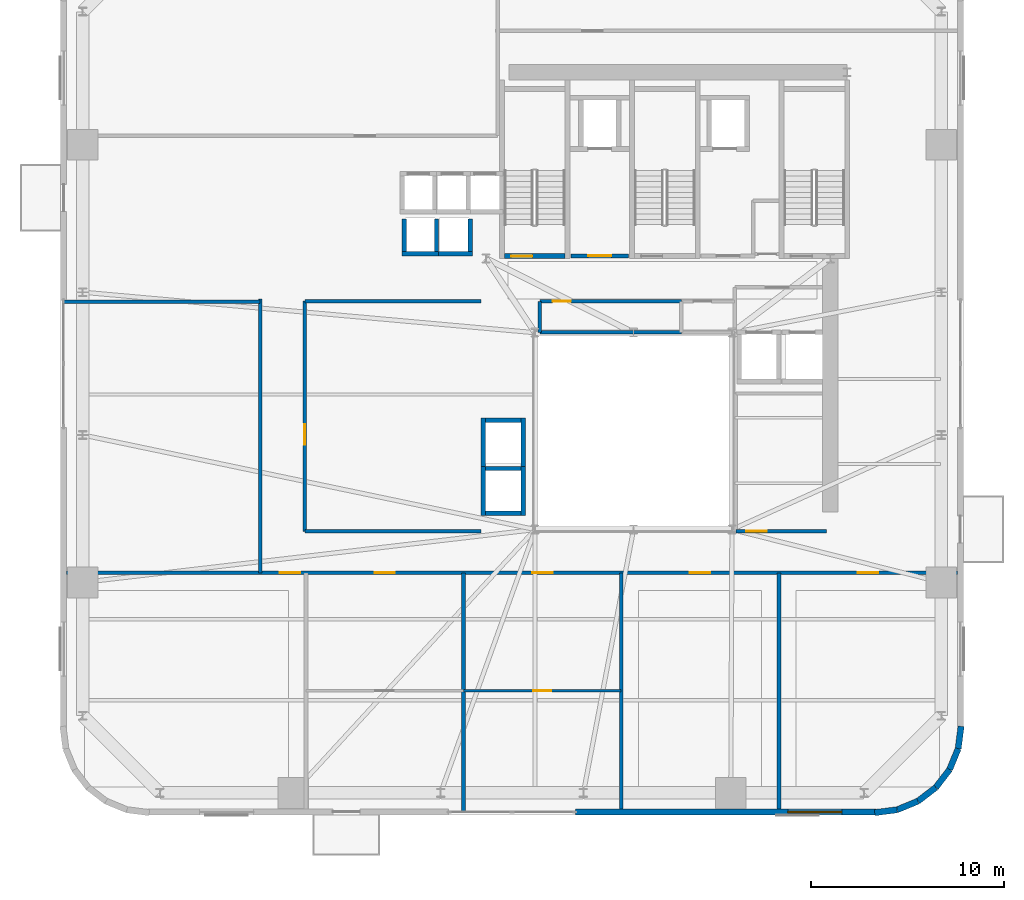
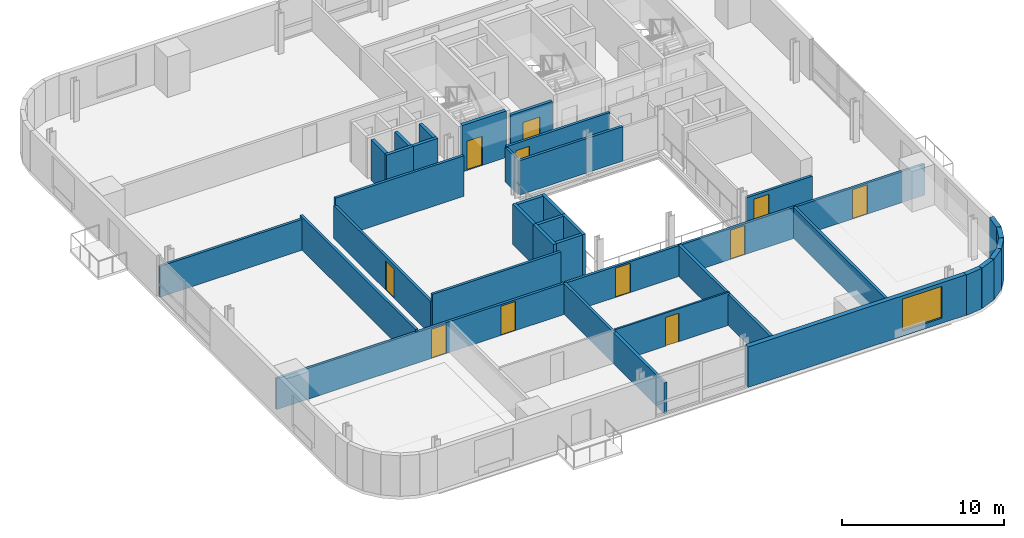
# One storey, part 6 of 14: 35 walls, 11 doors, 1 window, 12 openings.
"""IFC4 building model written with IfcOpenShell, lengths in metres."""

from ifc_helpers import new_model, si_unit, direction, frame, frame_2d, origin, place, context, subcontext, project, spatial, rectangle, extrude, source, transform, mapped, material, layer, layer_set, type_object, element, fill, save


model = new_model("IFC4")

# Units and contexts
model_context = context("Model", 3, precision=1e-05, world=origin(), true_north=direction((0.0, 1.0)))
body_context = subcontext(model_context, "Body", "Model", "MODEL_VIEW")
ifc_project = project(units=[si_unit("LENGTHUNIT", "METRE"), si_unit("AREAUNIT", "SQUARE_METRE"), si_unit("VOLUMEUNIT", "CUBIC_METRE"), si_unit("PLANEANGLEUNIT", "RADIAN"), si_unit("MASSUNIT", "GRAM", prefix="KILO")], contexts=[model_context])

# Site, building, storey
site_placement = place(None, origin())
site = spatial("IfcSite", under=ifc_project, at=site_placement, CompositionType="ELEMENT")
building_placement = place(site_placement, origin())
building = spatial("IfcBuilding", under=site, at=building_placement, Name="Vardaveli Station Tower", CompositionType="ELEMENT")
storey_placement = place(building_placement, frame((0.0, 0.0, 163.10009765625)))
storey = spatial("IfcBuildingStorey", under=building, at=storey_placement, Name="L42", CompositionType="ELEMENT", Elevation=163.10009765625)

# Wall, opening, window
ifc_material_1 = material(Name="Precast concrete C45/55", Category="concrete")
ifc_layer_1 = layer(ifc_material_1, 0.320068359375, Name="Precast concrete C45/55")
ifc_layer_set_1 = layer_set([ifc_layer_1], Name="Precast concrete C45/55")
wall_type_1 = type_object("IfcWallType", Name="WAL-EXT-STONE-320", PredefinedType="SOLIDWALL", material=ifc_layer_set_1)
shared_shape_1 = source(origin(), body_context, "Body", "SweptSolid", [
    extrude(rectangle(XDim=15.599853515625, YDim=0.320068359375, at=frame_2d((7.7998046875, 0.0))), origin(), (0.0, 0.0, 1.0), 3.0498046875),
])
wall_1_placement = place(storey_placement, frame((33.300048828125, 1.9599609375, 0.0), z_axis=(0.0, 0.0, 1.0), x_axis=(1.0, 0.0, 0.0)))
wall_1 = element("IfcWall", 1, at=wall_1_placement, inside=storey, type_object=wall_type_1, Name="EW-L42-S2", PredefinedType="SOLIDWALL", context=body_context, shape_type="MappedRepresentation", body=[
    mapped(shared_shape_1, transform((0.0, 0.0, 0.0), scale=1.0)),
])
shared_shape_2 = source(origin(), body_context, "Body", "SweptSolid", [
    extrude(rectangle(XDim=2.800048828125, YDim=2.39990234375, at=frame_2d((1.39990234375, 1.199951171875))), frame((0.0, 0.169921875, 0.0), z_axis=(0.0, -1.0, 0.0), x_axis=(1.0, 0.0, 0.0)), (0.0, 0.0, 1.0), 0.340087890625),
])
opening_1_placement = place(wall_1_placement, frame((10.9951171875, 0.0, 0.389892578125)))
opening_1 = element("IfcOpeningElement", 2, at=opening_1_placement, cuts=wall_1, Name="Opening W-04", PredefinedType="OPENING", context=body_context, shape_type="MappedRepresentation", body=[
    mapped(shared_shape_2, transform((0.0, 0.0, 0.0), scale=1.0)),
])
ifc_material_2 = material(Name="Low-E solar-control glass", Category="glass")
window_type = type_object("IfcWindowType", Name="WIN-SUITE-2800x2400", PartitioningType="SINGLE_PANEL", PredefinedType="WINDOW", material=ifc_material_2)
shared_shape_3 = source(origin(), body_context, "Body", "SweptSolid", [
    extrude(rectangle(XDim=2.800048828125, YDim=2.39990234375, at=frame_2d((1.39990234375, 1.199951171875))), frame((0.0, 0.030029296875, 0.0), z_axis=(0.0, -1.0, 0.0), x_axis=(1.0, 0.0, 0.0)), (0.0, 0.0, 1.0), 0.06005859375),
])
window_placement = place(opening_1_placement, origin())
window = element("IfcWindow", 3, at=window_placement, inside=storey, type_object=window_type, Name="WN-L42-S2", OverallHeight=2.39990234375, OverallWidth=2.800048828125, PartitioningType="SINGLE_PANEL", PredefinedType="WINDOW", context=body_context, shape_type="MappedRepresentation", body=[
    mapped(shared_shape_3, transform((0.0, 0.0, 0.0), scale=1.0)),
])
fill(opening_1, window)

# Walls
shared_shape_4 = source(origin(), body_context, "Body", "SweptSolid", [
    extrude(rectangle(XDim=1.170654296875, YDim=0.320068359375, at=frame_2d((0.58544921875, 0.0))), origin(), (0.0, 0.0, 1.0), 3.0498046875),
])
wall_2_placement = place(storey_placement, frame((53.12548828125, 5.23974609375, 0.0), z_axis=(0.0, 0.0, 1.0), x_axis=(0.128269133229, 0.991739395941, 0.0)))
element("IfcWall", 4, at=wall_2_placement, inside=storey, type_object=wall_type_1, Name="EW-L42-CR2-6", PredefinedType="SOLIDWALL", context=body_context, shape_type="MappedRepresentation", body=[
    mapped(shared_shape_4, transform((0.0, 0.0, 0.0), scale=1.0)),
])
shared_shape_5 = source(origin(), body_context, "Body", "SweptSolid", [
    extrude(rectangle(XDim=1.1689453125, YDim=0.320068359375, at=frame_2d((0.58447265625, 0.0))), origin(), (0.0, 0.0, 1.0), 3.0498046875),
])
for number, where, z_axis, x_axis, name in (
    (5, (51.96875, 3.231201171875, 0.0), (0.0, 0.0, 1.0), (0.608387696831, 0.793639975269, 0.0), "EW-L42-CR2-4"),
    (6, (52.679931640625, 4.158935546875, 0.0), (0.0, 0.0, 1.0), (0.381127904695, 0.924522320046, 0.0), "EW-L42-CR2-5"),
):
    element("IfcWall", number, at=place(storey_placement, frame(where, z_axis=z_axis, x_axis=x_axis)), inside=storey, type_object=wall_type_1, Name=name, PredefinedType="SOLIDWALL", context=body_context, shape_type="MappedRepresentation", body=[
        mapped(shared_shape_5, transform((0.0, 0.0, 0.0), scale=1.0)),
    ])
shared_shape_6 = source(origin(), body_context, "Body", "SweptSolid", [
    extrude(rectangle(XDim=1.168701171875, YDim=0.320068359375, at=frame_2d((0.58447265625, 0.0))), origin(), (0.0, 0.0, 1.0), 3.0498046875),
])
wall_3_placement = place(storey_placement, frame((51.041259765625, 2.520263671875, 0.0), z_axis=(0.0, 0.0, 1.0), x_axis=(0.793663520347, 0.608356981114, 0.0)))
element("IfcWall", 7, at=wall_3_placement, inside=storey, type_object=wall_type_1, Name="EW-L42-CR2-3", PredefinedType="SOLIDWALL", context=body_context, shape_type="MappedRepresentation", body=[
    mapped(shared_shape_6, transform((0.0, 0.0, 0.0), scale=1.0)),
])
shared_shape_7 = source(origin(), body_context, "Body", "SweptSolid", [
    extrude(rectangle(XDim=1.16943359375, YDim=0.320068359375, at=frame_2d((0.584716796875, 0.0))), origin(), (0.0, 0.0, 1.0), 3.0498046875),
])
wall_4_placement = place(storey_placement, frame((49.960205078125, 2.074462890625, 0.0), z_axis=(0.0, 0.0, 1.0), x_axis=(0.924479075121, 0.381232789334, 0.0)))
element("IfcWall", 8, at=wall_4_placement, inside=storey, type_object=wall_type_1, Name="EW-L42-CR2-2", PredefinedType="SOLIDWALL", context=body_context, shape_type="MappedRepresentation", body=[
    mapped(shared_shape_7, transform((0.0, 0.0, 0.0), scale=1.0)),
])
shared_shape_8 = source(origin(), body_context, "Body", "SweptSolid", [
    extrude(rectangle(XDim=1.170166015625, YDim=0.320068359375, at=frame_2d((0.5849609375, 0.0))), origin(), (0.0, 0.0, 1.0), 3.0498046875),
])
wall_5_placement = place(storey_placement, frame((48.799560546875, 1.924560546875, 0.0), z_axis=(0.0, 0.0, 1.0), x_axis=(0.991762485493, 0.128090485085, 0.0)))
element("IfcWall", 9, at=wall_5_placement, inside=storey, type_object=wall_type_1, Name="EW-L42-CR2-1", PredefinedType="SOLIDWALL", context=body_context, shape_type="MappedRepresentation", body=[
    mapped(shared_shape_8, transform((0.0, 0.0, 0.0), scale=1.0)),
])

# Wall, opening, door
ifc_material_3 = material(Name="Concrete C40/50", Category="concrete")
ifc_layer_2 = layer(ifc_material_3, 0.25, Name="Concrete C40/50")
ifc_layer_set_2 = layer_set([ifc_layer_2], Name="Concrete C40/50")
wall_type_2 = type_object("IfcWallType", Name="WAL-SHAFT-250", PredefinedType="SOLIDWALL", material=ifc_layer_set_2)
shared_shape_9 = source(origin(), body_context, "Body", "SweptSolid", [
    extrude(rectangle(XDim=3.14990234375, YDim=0.25, at=frame_2d((1.574951171875, 0.0))), origin(), (0.0, 0.0, 1.0), 3.5),
])
wall_6_placement = place(storey_placement, frame((29.60009765625, 30.77490234375, 0.0), z_axis=(0.0, 0.0, 1.0), x_axis=(1.0, 0.0, 0.0)))
wall_6 = element("IfcWall", 10, at=wall_6_placement, inside=storey, type_object=wall_type_2, Name="W-L42-ST-1S", PredefinedType="SOLIDWALL", context=body_context, shape_type="MappedRepresentation", body=[
    mapped(shared_shape_9, transform((0.0, 0.0, 0.0), scale=1.0)),
])
shared_shape_10 = source(origin(), body_context, "Body", "SweptSolid", [
    extrude(rectangle(XDim=1.10009765625, YDim=2.199951171875, at=frame_2d((0.550048828125, 1.10009765625))), frame((0.0, 0.135009765625, 0.0), z_axis=(0.0, -1.0, 0.0), x_axis=(1.0, 0.0, 0.0)), (0.0, 0.0, 1.0), 0.27001953125),
])
opening_2_placement = place(wall_6_placement, frame((0.35009765625, 0.0, 0.0)))
opening_2 = element("IfcOpeningElement", 11, at=opening_2_placement, cuts=wall_6, Name="Opening D-04", PredefinedType="OPENING", context=body_context, shape_type="MappedRepresentation", body=[
    mapped(shared_shape_10, transform((0.0, 0.0, 0.0), scale=1.0)),
])
ifc_material_4 = material(Name="Steel smokeproof fire doorset", Category="steel")
door_type_1 = type_object("IfcDoorType", Name="DR-ST-1100x2200", OperationType="NOTDEFINED", PredefinedType="DOOR", material=ifc_material_4)
shared_shape_11 = source(origin(), body_context, "Body", "SweptSolid", [
    extrude(rectangle(XDim=1.10009765625, YDim=2.199951171875, at=frame_2d((0.550048828125, 1.10009765625))), frame((0.0, 0.02490234375, 0.0), z_axis=(0.0, -1.0, 0.0), x_axis=(1.0, 0.0, 0.0)), (0.0, 0.0, 1.0), 0.050048828125),
])
door_1_placement = place(opening_2_placement, origin())
door_1 = element("IfcDoor", 12, at=door_1_placement, inside=storey, type_object=door_type_1, Name="DST-1-L42", OperationType="SINGLE_SWING_LEFT", OverallHeight=2.199951171875, OverallWidth=1.10009765625, PredefinedType="DOOR", context=body_context, shape_type="MappedRepresentation", body=[
    mapped(shared_shape_11, transform((0.0, 0.0, 0.0), scale=1.0)),
])
fill(opening_2, door_1)

ifc_layer_3 = layer(ifc_material_3, 0.219970703125, Name="Concrete C40/50")
ifc_layer_set_3 = layer_set([ifc_layer_3], Name="Concrete C40/50")
wall_type_3 = type_object("IfcWallType", Name="WAL-FFLOBBY-220", PredefinedType="SOLIDWALL", material=ifc_layer_set_3)
shared_shape_12 = source(origin(), body_context, "Body", "SweptSolid", [
    extrude(rectangle(XDim=3.0, YDim=0.219970703125, at=frame_2d((1.5, 0.0))), origin(), (0.0, 0.0, 1.0), 3.0498046875),
])
wall_7_placement = place(storey_placement, frame((33.050048828125, 30.780029296875, 0.0), z_axis=(0.0, 0.0, 1.0), x_axis=(1.0, 0.0, 0.0)))
wall_7 = element("IfcWall", 13, at=wall_7_placement, inside=storey, type_object=wall_type_3, Name="W-L42-FFL1S", PredefinedType="SOLIDWALL", context=body_context, shape_type="MappedRepresentation", body=[
    mapped(shared_shape_12, transform((0.0, 0.0, 0.0), scale=1.0)),
])
shared_shape_13 = source(origin(), body_context, "Body", "SweptSolid", [
    extrude(rectangle(XDim=1.199951171875, YDim=2.199951171875, at=frame_2d((0.60009765625, 1.10009765625))), frame((0.0, 0.1201171875, 0.0), z_axis=(0.0, -1.0, 0.0), x_axis=(1.0, 0.0, 0.0)), (0.0, 0.0, 1.0), 0.239990234375),
])
opening_3_placement = place(wall_7_placement, frame((0.89990234375, 0.0, 0.0)))
opening_3 = element("IfcOpeningElement", 14, at=opening_3_placement, cuts=wall_7, Name="Opening D-03", PredefinedType="OPENING", context=body_context, shape_type="MappedRepresentation", body=[
    mapped(shared_shape_13, transform((0.0, 0.0, 0.0), scale=1.0)),
])
door_type_2 = type_object("IfcDoorType", Name="DR-FFL-1200x2200", OperationType="NOTDEFINED", PredefinedType="DOOR", material=ifc_material_4)
shared_shape_14 = source(origin(), body_context, "Body", "SweptSolid", [
    extrude(rectangle(XDim=1.199951171875, YDim=2.199951171875, at=frame_2d((0.60009765625, 1.10009765625))), frame((0.0, 0.02490234375, 0.0), z_axis=(0.0, -1.0, 0.0), x_axis=(1.0, 0.0, 0.0)), (0.0, 0.0, 1.0), 0.050048828125),
])
door_2_placement = place(opening_3_placement, origin())
door_2 = element("IfcDoor", 15, at=door_2_placement, inside=storey, type_object=door_type_2, Name="DFFL1-L42", OperationType="SINGLE_SWING_LEFT", OverallHeight=2.199951171875, OverallWidth=1.199951171875, PredefinedType="DOOR", context=body_context, shape_type="MappedRepresentation", body=[
    mapped(shared_shape_14, transform((0.0, 0.0, 0.0), scale=1.0)),
])
fill(opening_3, door_2)

# Walls
shared_shape_15 = source(origin(), body_context, "Body", "SweptSolid", [
    extrude(rectangle(XDim=1.89013671875, YDim=0.219970703125, at=frame_2d((0.945068359375, 0.0))), origin(), (0.0, 0.0, 1.0), 3.0498046875),
])
for number, where, z_axis, x_axis, name in (
    (16, (24.304931640625, 30.889892578125, 0.0), (0.0, 0.0, 1.0), (1.0, 0.0, 0.0), "SHW-SHU-01-L42-S"),
    (17, (26.054931640625, 30.889892578125, 0.0), (0.0, 0.0, 1.0), (1.0, 0.0, 0.0), "SHW-SHU-02-L42-S"),
):
    element("IfcWall", number, at=place(storey_placement, frame(where, z_axis=z_axis, x_axis=x_axis)), inside=storey, type_object=wall_type_3, Name=name, PredefinedType="SOLIDWALL", context=body_context, shape_type="MappedRepresentation", body=[
        mapped(shared_shape_15, transform((0.0, 0.0, 0.0), scale=1.0)),
    ])
shared_shape_16 = source(origin(), body_context, "Body", "SweptSolid", [
    extrude(rectangle(XDim=1.699951171875, YDim=0.219970703125, at=frame_2d((0.85009765625, 0.0))), origin(), (0.0, 0.0, 1.0), 3.0498046875),
])
for number, where, z_axis, x_axis, name in (
    (18, (24.4150390625, 31.0, 0.0), (0.0, 0.0, 1.0), (0.0, 1.0, 0.0), "SHW-SHU-01-L42-W"),
    (19, (26.0849609375, 31.0, 0.0), (0.0, 0.0, 1.0), (0.0, 1.0, 0.0), "SHW-SHU-01-L42-E"),
    (20, (27.8349609375, 31.0, 0.0), (0.0, 0.0, 1.0), (0.0, 1.0, 0.0), "SHW-SHU-02-L42-E"),
):
    element("IfcWall", number, at=place(storey_placement, frame(where, z_axis=z_axis, x_axis=x_axis)), inside=storey, type_object=wall_type_3, Name=name, PredefinedType="SOLIDWALL", context=body_context, shape_type="MappedRepresentation", body=[
        mapped(shared_shape_16, transform((0.0, 0.0, 0.0), scale=1.0)),
    ])
shared_shape_17 = source(origin(), body_context, "Body", "SweptSolid", [
    extrude(rectangle(XDim=1.85009765625, YDim=0.219970703125, at=frame_2d((0.925048828125, 0.0))), origin(), (0.0, 0.0, 1.0), 3.0498046875),
])
for number, where, z_axis, x_axis, name in (
    (21, (28.625, 17.43994140625, 0.0), (0.0, 0.0, 1.0), (1.0, 0.0, 0.0), "SHW-OBS-01-L42-S"),
    (22, (28.625, 19.760009765625, 0.0), (0.0, 0.0, 1.0), (1.0, 0.0, 0.0), "SHW-OBS-01-L42-N"),
    (23, (28.625, 22.260009765625, 0.0), (0.0, 0.0, 1.0), (1.0, 0.0, 0.0), "SHW-OBS-02-L42-N"),
):
    element("IfcWall", number, at=place(storey_placement, frame(where, z_axis=z_axis, x_axis=x_axis)), inside=storey, type_object=wall_type_3, Name=name, PredefinedType="SOLIDWALL", context=body_context, shape_type="MappedRepresentation", body=[
        mapped(shared_shape_17, transform((0.0, 0.0, 0.0), scale=1.0)),
    ])
shared_shape_18 = source(origin(), body_context, "Body", "SweptSolid", [
    extrude(rectangle(XDim=2.5400390625, YDim=0.219970703125, at=frame_2d((1.27001953125, 0.0))), origin(), (0.0, 0.0, 1.0), 3.0498046875),
])
for number, where, z_axis, x_axis, name in (
    (24, (28.514892578125, 17.330078125, 0.0), (0.0, 0.0, 1.0), (0.0, 1.0, 0.0), "SHW-OBS-01-L42-W"),
    (25, (30.5849609375, 17.330078125, 0.0), (0.0, 0.0, 1.0), (0.0, 1.0, 0.0), "SHW-OBS-01-L42-E"),
    (26, (28.514892578125, 19.830078125, 0.0), (0.0, 0.0, 1.0), (0.0, 1.0, 0.0), "SHW-OBS-02-L42-W"),
    (27, (30.5849609375, 19.830078125, 0.0), (0.0, 0.0, 1.0), (0.0, 1.0, 0.0), "SHW-OBS-02-L42-E"),
):
    element("IfcWall", number, at=place(storey_placement, frame(where, z_axis=z_axis, x_axis=x_axis)), inside=storey, type_object=wall_type_3, Name=name, PredefinedType="SOLIDWALL", context=body_context, shape_type="MappedRepresentation", body=[
        mapped(shared_shape_18, transform((0.0, 0.0, 0.0), scale=1.0)),
    ])

# Wall, openings, doors
ifc_material_5 = material(Name="Fire-rated gypsum stud partition")
ifc_layer_4 = layer(ifc_material_5, 0.179931640625, Name="Fire-rated gypsum stud partition")
ifc_layer_set_4 = layer_set([ifc_layer_4], Name="Fire-rated gypsum stud partition")
wall_type_4 = type_object("IfcWallType", Name="WAL-CORR-180", PredefinedType="PARTITIONING", material=ifc_layer_set_4)
shared_shape_19 = source(origin(), body_context, "Body", "SweptSolid", [
    extrude(rectangle(XDim=46.15576171875, YDim=0.179931640625, at=frame_2d((23.077880859375, 0.0))), origin(), (0.0, 0.0, 1.0), 2.325927734375),
])
wall_8_placement = place(storey_placement, frame((6.922119140625, 14.35009765625, 0.0), z_axis=(0.0, 0.0, 1.0), x_axis=(1.0, 0.0, 0.0)))
wall_8 = element("IfcWall", 28, at=wall_8_placement, inside=storey, type_object=wall_type_4, Name="W-L42-CS", PredefinedType="PARTITIONING", context=body_context, shape_type="MappedRepresentation", body=[
    mapped(shared_shape_19, transform((0.0, 0.0, 0.0), scale=1.0)),
])
shared_shape_20 = source(origin(), body_context, "Body", "SweptSolid", [
    extrude(rectangle(XDim=1.050048828125, YDim=2.199951171875, at=frame_2d((0.52490234375, 1.10009765625))), frame((0.0, 0.10009765625, 0.0), z_axis=(0.0, -1.0, 0.0), x_axis=(1.0, 0.0, 0.0)), (0.0, 0.0, 1.0), 0.199951171875),
])
opening_4_placement = place(wall_8_placement, frame((11.048095703125, 0.0, 0.0)))
opening_4 = element("IfcOpeningElement", 29, at=opening_4_placement, cuts=wall_8, Name="Opening D-05", PredefinedType="OPENING", context=body_context, shape_type="MappedRepresentation", body=[
    mapped(shared_shape_20, transform((0.0, 0.0, 0.0), scale=1.0)),
])
opening_5_placement = place(wall_8_placement, frame((15.962890625, 0.0, 0.0)))
opening_5 = element("IfcOpeningElement", 30, at=opening_5_placement, cuts=wall_8, Name="Opening D-05", PredefinedType="OPENING", context=body_context, shape_type="MappedRepresentation", body=[
    mapped(shared_shape_20, transform((0.0, 0.0, 0.0), scale=1.0)),
])
opening_6_placement = place(wall_8_placement, frame((24.133056640625, 0.0, 0.0)))
opening_6 = element("IfcOpeningElement", 31, at=opening_6_placement, cuts=wall_8, Name="Opening D-05", PredefinedType="OPENING", context=body_context, shape_type="MappedRepresentation", body=[
    mapped(shared_shape_20, transform((0.0, 0.0, 0.0), scale=1.0)),
])
opening_7_placement = place(wall_8_placement, frame((32.302978515625, 0.0, 0.0)))
opening_7 = element("IfcOpeningElement", 32, at=opening_7_placement, cuts=wall_8, Name="Opening D-05", PredefinedType="OPENING", context=body_context, shape_type="MappedRepresentation", body=[
    mapped(shared_shape_20, transform((0.0, 0.0, 0.0), scale=1.0)),
])
opening_8_placement = place(wall_8_placement, frame((40.998046875, 0.0, 0.0)))
opening_8 = element("IfcOpeningElement", 33, at=opening_8_placement, cuts=wall_8, Name="Opening D-05", PredefinedType="OPENING", context=body_context, shape_type="MappedRepresentation", body=[
    mapped(shared_shape_20, transform((0.0, 0.0, 0.0), scale=1.0)),
])
ifc_material_6 = material(Name="Walnut veneer acoustic fire door")
door_type_3 = type_object("IfcDoorType", Name="DR-SUITE-1050x2200", OperationType="NOTDEFINED", PredefinedType="DOOR", material=ifc_material_6)
shared_shape_21 = source(origin(), body_context, "Body", "SweptSolid", [
    extrude(rectangle(XDim=1.050048828125, YDim=2.199951171875, at=frame_2d((0.52490234375, 1.10009765625))), frame((0.0, 0.02490234375, 0.0), z_axis=(0.0, -1.0, 0.0), x_axis=(1.0, 0.0, 0.0)), (0.0, 0.0, 1.0), 0.050048828125),
])
door_3_placement = place(opening_4_placement, origin())
door_3 = element("IfcDoor", 34, at=door_3_placement, inside=storey, type_object=door_type_3, Name="D-L42-SA1", OperationType="SINGLE_SWING_RIGHT", OverallHeight=2.199951171875, OverallWidth=1.050048828125, PredefinedType="DOOR", context=body_context, shape_type="MappedRepresentation", body=[
    mapped(shared_shape_21, transform((0.0, 0.0, 0.0), scale=1.0)),
])
fill(opening_4, door_3)
door_4_placement = place(opening_5_placement, origin())
door_4 = element("IfcDoor", 35, at=door_4_placement, inside=storey, type_object=door_type_3, Name="D-L42-SCB2", OperationType="SINGLE_SWING_LEFT", OverallHeight=2.199951171875, OverallWidth=1.050048828125, PredefinedType="DOOR", context=body_context, shape_type="MappedRepresentation", body=[
    mapped(shared_shape_21, transform((0.0, 0.0, 0.0), scale=1.0)),
])
fill(opening_5, door_4)
door_5_placement = place(opening_6_placement, origin())
door_5 = element("IfcDoor", 36, at=door_5_placement, inside=storey, type_object=door_type_3, Name="D-L42-SCB3", OperationType="SINGLE_SWING_RIGHT", OverallHeight=2.199951171875, OverallWidth=1.050048828125, PredefinedType="DOOR", context=body_context, shape_type="MappedRepresentation", body=[
    mapped(shared_shape_21, transform((0.0, 0.0, 0.0), scale=1.0)),
])
fill(opening_6, door_5)
door_6_placement = place(opening_7_placement, origin())
door_6 = element("IfcDoor", 37, at=door_6_placement, inside=storey, type_object=door_type_3, Name="D-L42-SA4", OperationType="SINGLE_SWING_LEFT", OverallHeight=2.199951171875, OverallWidth=1.050048828125, PredefinedType="DOOR", context=body_context, shape_type="MappedRepresentation", body=[
    mapped(shared_shape_21, transform((0.0, 0.0, 0.0), scale=1.0)),
])
fill(opening_7, door_6)
door_7_placement = place(opening_8_placement, origin())
door_7 = element("IfcDoor", 38, at=door_7_placement, inside=storey, type_object=door_type_3, Name="D-L42-SA5", OperationType="SINGLE_SWING_RIGHT", OverallHeight=2.199951171875, OverallWidth=1.050048828125, PredefinedType="DOOR", context=body_context, shape_type="MappedRepresentation", body=[
    mapped(shared_shape_21, transform((0.0, 0.0, 0.0), scale=1.0)),
])
fill(opening_8, door_7)

# Wall, opening, door
shared_shape_22 = source(origin(), body_context, "Body", "SweptSolid", [
    extrude(rectangle(XDim=11.93994140625, YDim=0.179931640625, at=frame_2d((5.969970703125, 0.0))), origin(), (0.0, 0.0, 1.0), 2.491943359375),
])
wall_9_placement = place(storey_placement, frame((19.27001953125, 16.5, 0.0), z_axis=(0.0, 0.0, 1.0), x_axis=(0.0, 1.0, 0.0)))
wall_9 = element("IfcWall", 39, at=wall_9_placement, inside=storey, type_object=wall_type_4, Name="W-L42-ATW-W", PredefinedType="PARTITIONING", context=body_context, shape_type="MappedRepresentation", body=[
    mapped(shared_shape_22, transform((0.0, 0.0, 0.0), scale=1.0)),
])
opening_9_placement = place(wall_9_placement, frame((4.5, 0.0, 0.0)))
opening_9 = element("IfcOpeningElement", 40, at=opening_9_placement, cuts=wall_9, Name="Opening D-05", PredefinedType="OPENING", context=body_context, shape_type="MappedRepresentation", body=[
    mapped(shared_shape_20, transform((0.0, 0.0, 0.0), scale=1.0)),
])
door_8_placement = place(opening_9_placement, origin())
door_8 = element("IfcDoor", 41, at=door_8_placement, inside=storey, type_object=door_type_3, Name="D-L42-ATW1", OperationType="SINGLE_SWING_LEFT", OverallHeight=2.199951171875, OverallWidth=1.050048828125, PredefinedType="DOOR", context=body_context, shape_type="MappedRepresentation", body=[
    mapped(shared_shape_21, transform((0.0, 0.0, 0.0), scale=1.0)),
])
fill(opening_9, door_8)

ifc_material_7 = material(Name="Gypsum board stud partition")
ifc_layer_5 = layer(ifc_material_7, 0.125, Name="Gypsum board stud partition")
ifc_layer_set_5 = layer_set([ifc_layer_5], Name="Gypsum board stud partition")
wall_type_5 = type_object("IfcWallType", Name="WAL-INT-125", PredefinedType="PARTITIONING", material=ifc_layer_set_5)
shared_shape_23 = source(origin(), body_context, "Body", "SweptSolid", [
    extrude(rectangle(XDim=8.169921875, YDim=0.125, at=frame_2d((4.0849609375, 0.0))), origin(), (0.0, 0.0, 1.0), 2.491943359375),
])
wall_10_placement = place(storey_placement, frame((27.489990234375, 8.25, 0.0), z_axis=(0.0, 0.0, 1.0), x_axis=(1.0, 0.0, 0.0)))
wall_10 = element("IfcWall", 42, at=wall_10_placement, inside=storey, type_object=wall_type_5, Name="W-L42-SCM3", PredefinedType="PARTITIONING", context=body_context, shape_type="MappedRepresentation", body=[
    mapped(shared_shape_23, transform((0.0, 0.0, 0.0), scale=1.0)),
])
shared_shape_24 = source(origin(), body_context, "Body", "SweptSolid", [
    extrude(rectangle(XDim=0.949951171875, YDim=2.14990234375, at=frame_2d((0.47509765625, 1.074951171875))), frame((0.0, 0.072509765625, 0.0), z_axis=(0.0, -1.0, 0.0), x_axis=(1.0, 0.0, 0.0)), (0.0, 0.0, 1.0), 0.14501953125),
])
opening_10_placement = place(wall_10_placement, frame((3.60498046875, 0.0, 0.0)))
opening_10 = element("IfcOpeningElement", 43, at=opening_10_placement, cuts=wall_10, Name="Opening D-11", PredefinedType="OPENING", context=body_context, shape_type="MappedRepresentation", body=[
    mapped(shared_shape_24, transform((0.0, 0.0, 0.0), scale=1.0)),
])
ifc_material_8 = material(Name="Oak veneer internal suite door")
door_type_4 = type_object("IfcDoorType", Name="DR-INT-950x2150", OperationType="NOTDEFINED", PredefinedType="DOOR", material=ifc_material_8)
shared_shape_25 = source(origin(), body_context, "Body", "SweptSolid", [
    extrude(rectangle(XDim=0.949951171875, YDim=2.14990234375, at=frame_2d((0.47509765625, 1.074951171875))), frame((0.0, 0.02490234375, 0.0), z_axis=(0.0, -1.0, 0.0), x_axis=(1.0, 0.0, 0.0)), (0.0, 0.0, 1.0), 0.050048828125),
])
door_9_placement = place(opening_10_placement, origin())
door_9 = element("IfcDoor", 44, at=door_9_placement, inside=storey, type_object=door_type_4, Name="D-L42-SCF3", OperationType="SINGLE_SWING_LEFT", OverallHeight=2.14990234375, OverallWidth=0.949951171875, PredefinedType="DOOR", context=body_context, shape_type="MappedRepresentation", body=[
    mapped(shared_shape_25, transform((0.0, 0.0, 0.0), scale=1.0)),
])
fill(opening_10, door_9)

shared_shape_26 = source(origin(), body_context, "Body", "SweptSolid", [
    extrude(rectangle(XDim=7.330078125, YDim=0.179931640625, at=frame_2d((3.6650390625, 0.0))), origin(), (0.0, 0.0, 1.0), 2.681884765625),
])
wall_11_placement = place(storey_placement, frame((31.449951171875, 28.419921875, 0.0), z_axis=(0.0, 0.0, 1.0), x_axis=(1.0, 0.0, 0.0)))
wall_11 = element("IfcWall", 45, at=wall_11_placement, inside=storey, type_object=wall_type_4, Name="W-L42-HKP0-N", PredefinedType="PARTITIONING", context=body_context, shape_type="MappedRepresentation", body=[
    mapped(shared_shape_26, transform((0.0, 0.0, 0.0), scale=1.0)),
])
shared_shape_27 = source(origin(), body_context, "Body", "SweptSolid", [
    extrude(rectangle(XDim=0.949951171875, YDim=2.14990234375, at=frame_2d((0.47509765625, 1.074951171875))), frame((0.0, 0.10009765625, 0.0), z_axis=(0.0, -1.0, 0.0), x_axis=(1.0, 0.0, 0.0)), (0.0, 0.0, 1.0), 0.199951171875),
])
opening_11_placement = place(wall_11_placement, frame((0.64990234375, 0.0, 0.0)))
opening_11 = element("IfcOpeningElement", 46, at=opening_11_placement, cuts=wall_11, Name="Opening D-06", PredefinedType="OPENING", context=body_context, shape_type="MappedRepresentation", body=[
    mapped(shared_shape_27, transform((0.0, 0.0, 0.0), scale=1.0)),
])
ifc_material_9 = material(Name="Oak veneer acoustic fire door")
door_type_5 = type_object("IfcDoorType", Name="DR-GUEST-950x2150", OperationType="NOTDEFINED", PredefinedType="DOOR", material=ifc_material_9)
door_10_placement = place(opening_11_placement, origin())
door_10 = element("IfcDoor", 47, at=door_10_placement, inside=storey, type_object=door_type_5, Name="D-L42-HKP", OperationType="SINGLE_SWING_RIGHT", OverallHeight=2.14990234375, OverallWidth=0.949951171875, PredefinedType="DOOR", context=body_context, shape_type="MappedRepresentation", body=[
    mapped(shared_shape_25, transform((0.0, 0.0, 0.0), scale=1.0)),
])
fill(opening_11, door_10)

shared_shape_28 = source(origin(), body_context, "Body", "SweptSolid", [
    extrude(rectangle(XDim=4.699951171875, YDim=0.179931640625, at=frame_2d((2.35009765625, 0.0))), origin(), (0.0, 0.0, 1.0), 2.491943359375),
])
wall_12_placement = place(storey_placement, frame((41.60009765625, 16.5, 0.0), z_axis=(0.0, 0.0, 1.0), x_axis=(1.0, 0.0, 0.0)))
wall_12 = element("IfcWall", 48, at=wall_12_placement, inside=storey, type_object=wall_type_4, Name="W-L42-ATE-S", PredefinedType="PARTITIONING", context=body_context, shape_type="MappedRepresentation", body=[
    mapped(shared_shape_28, transform((0.0, 0.0, 0.0), scale=1.0)),
])
opening_12_placement = place(wall_12_placement, frame((0.550048828125, 0.0, 0.0)))
opening_12 = element("IfcOpeningElement", 49, at=opening_12_placement, cuts=wall_12, Name="Opening D-05", PredefinedType="OPENING", context=body_context, shape_type="MappedRepresentation", body=[
    mapped(shared_shape_20, transform((0.0, 0.0, 0.0), scale=1.0)),
])
door_11_placement = place(opening_12_placement, origin())
door_11 = element("IfcDoor", 50, at=door_11_placement, inside=storey, type_object=door_type_3, Name="D-L42-ATE1", OperationType="SINGLE_SWING_RIGHT", OverallHeight=2.199951171875, OverallWidth=1.050048828125, PredefinedType="DOOR", context=body_context, shape_type="MappedRepresentation", body=[
    mapped(shared_shape_21, transform((0.0, 0.0, 0.0), scale=1.0)),
])
fill(opening_12, door_11)

# Walls
shared_shape_29 = source(origin(), body_context, "Body", "SweptSolid", [
    extrude(rectangle(XDim=14.199951171875, YDim=0.179931640625, at=frame_2d((7.10009765625, 0.0))), origin(), (0.0, 0.0, 1.0), 2.491943359375),
])
wall_13_placement = place(storey_placement, frame((16.949951171875, 14.35009765625, 0.0), z_axis=(0.0, 0.0, 1.0), x_axis=(0.0, 1.0, 0.0)))
element("IfcWall", 51, at=wall_13_placement, inside=storey, type_object=wall_type_4, Name="W-L42-CW", PredefinedType="PARTITIONING", context=body_context, shape_type="MappedRepresentation", body=[
    mapped(shared_shape_29, transform((0.0, 0.0, 0.0), scale=1.0)),
])
ifc_material_10 = material(Name="Acoustic twin-stud gypsum partition")
ifc_layer_6 = layer(ifc_material_10, 0.199951171875, Name="Acoustic twin-stud gypsum partition")
ifc_layer_set_6 = layer_set([ifc_layer_6], Name="Acoustic twin-stud gypsum partition")
wall_type_6 = type_object("IfcWallType", Name="WAL-PARTY-200", PredefinedType="PARTITIONING", material=ifc_layer_set_6)
shared_shape_30 = source(origin(), body_context, "Body", "SweptSolid", [
    extrude(rectangle(XDim=12.22802734375, YDim=0.199951171875, at=frame_2d((6.114013671875, 0.0))), origin(), (0.0, 0.0, 1.0), 2.325927734375),
])
for number, where, z_axis, x_axis, name in (
    (52, (35.659912109375, 2.1220703125, 0.0), (0.0, 0.0, 1.0), (0.0, 1.0, 0.0), "W-L42-PS3"),
    (53, (43.830078125, 2.1220703125, 0.0), (0.0, 0.0, 1.0), (0.0, 1.0, 0.0), "W-L42-PS4"),
):
    element("IfcWall", number, at=place(storey_placement, frame(where, z_axis=z_axis, x_axis=x_axis)), inside=storey, type_object=wall_type_6, Name=name, PredefinedType="PARTITIONING", context=body_context, shape_type="MappedRepresentation", body=[
        mapped(shared_shape_30, transform((0.0, 0.0, 0.0), scale=1.0)),
    ])
shared_shape_31 = source(origin(), body_context, "Body", "SweptSolid", [
    extrude(rectangle(XDim=12.420166015625, YDim=0.199951171875, at=frame_2d((6.2099609375, 0.0))), origin(), (0.0, 0.0, 1.0), 2.325927734375),
])
wall_14_placement = place(storey_placement, frame((27.489990234375, 1.929931640625, 0.0), z_axis=(0.0, 0.0, 1.0), x_axis=(0.0, 1.0, 0.0)))
element("IfcWall", 54, at=wall_14_placement, inside=storey, type_object=wall_type_6, Name="W-L42-PS2", PredefinedType="PARTITIONING", context=body_context, shape_type="MappedRepresentation", body=[
    mapped(shared_shape_31, transform((0.0, 0.0, 0.0), scale=1.0)),
])
shared_shape_32 = source(origin(), body_context, "Body", "SweptSolid", [
    extrude(rectangle(XDim=10.219970703125, YDim=0.179931640625, at=frame_2d((5.10986328125, 0.0))), origin(), (0.0, 0.0, 1.0), 2.325927734375),
])
wall_15_placement = place(storey_placement, frame((6.72998046875, 28.39990234375, 0.0), z_axis=(0.0, 0.0, 1.0), x_axis=(1.0, 0.0, 0.0)))
element("IfcWall", 55, at=wall_15_placement, inside=storey, type_object=wall_type_4, Name="W-L42-CWN", PredefinedType="PARTITIONING", context=body_context, shape_type="MappedRepresentation", body=[
    mapped(shared_shape_32, transform((0.0, 0.0, 0.0), scale=1.0)),
])
shared_shape_33 = source(origin(), body_context, "Body", "SweptSolid", [
    extrude(rectangle(XDim=9.1298828125, YDim=0.179931640625, at=frame_2d((4.56494140625, 0.0))), origin(), (0.0, 0.0, 1.0), 3.0498046875),
])
for number, where, z_axis, x_axis, name in (
    (56, (19.27001953125, 16.5, 0.0), (0.0, 0.0, 1.0), (1.0, 0.0, 0.0), "W-L42-ATW-S"),
    (57, (19.27001953125, 28.43994140625, 0.0), (0.0, 0.0, 1.0), (1.0, 0.0, 0.0), "W-L42-ATW-N"),
):
    element("IfcWall", number, at=place(storey_placement, frame(where, z_axis=z_axis, x_axis=x_axis)), inside=storey, type_object=wall_type_4, Name=name, PredefinedType="PARTITIONING", context=body_context, shape_type="MappedRepresentation", body=[
        mapped(shared_shape_33, transform((0.0, 0.0, 0.0), scale=1.0)),
    ])
shared_shape_34 = source(origin(), body_context, "Body", "SweptSolid", [
    extrude(rectangle(XDim=7.330078125, YDim=0.179931640625, at=frame_2d((3.6650390625, 0.0))), origin(), (0.0, 0.0, 1.0), 2.591796875),
])
wall_16_placement = place(storey_placement, frame((31.449951171875, 26.820068359375, 0.0), z_axis=(0.0, 0.0, 1.0), x_axis=(1.0, 0.0, 0.0)))
element("IfcWall", 58, at=wall_16_placement, inside=storey, type_object=wall_type_4, Name="W-L42-HKP0-S", PredefinedType="PARTITIONING", context=body_context, shape_type="MappedRepresentation", body=[
    mapped(shared_shape_34, transform((0.0, 0.0, 0.0), scale=1.0)),
])
shared_shape_35 = source(origin(), body_context, "Body", "SweptSolid", [
    extrude(rectangle(XDim=1.599853515625, YDim=0.179931640625, at=frame_2d((0.7998046875, 0.0))), origin(), (0.0, 0.0, 1.0), 2.591796875),
])
wall_17_placement = place(storey_placement, frame((31.449951171875, 26.820068359375, 0.0), z_axis=(0.0, 0.0, 1.0), x_axis=(0.0, 1.0, 0.0)))
element("IfcWall", 59, at=wall_17_placement, inside=storey, type_object=wall_type_4, Name="W-L42-HKP0-W", PredefinedType="PARTITIONING", context=body_context, shape_type="MappedRepresentation", body=[
    mapped(shared_shape_35, transform((0.0, 0.0, 0.0), scale=1.0)),
])

save(model, "model.ifc")
